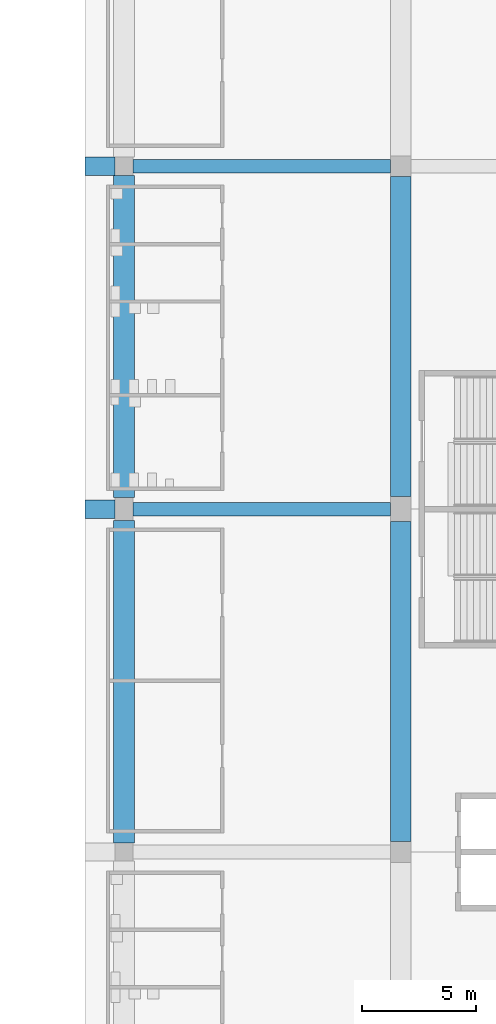
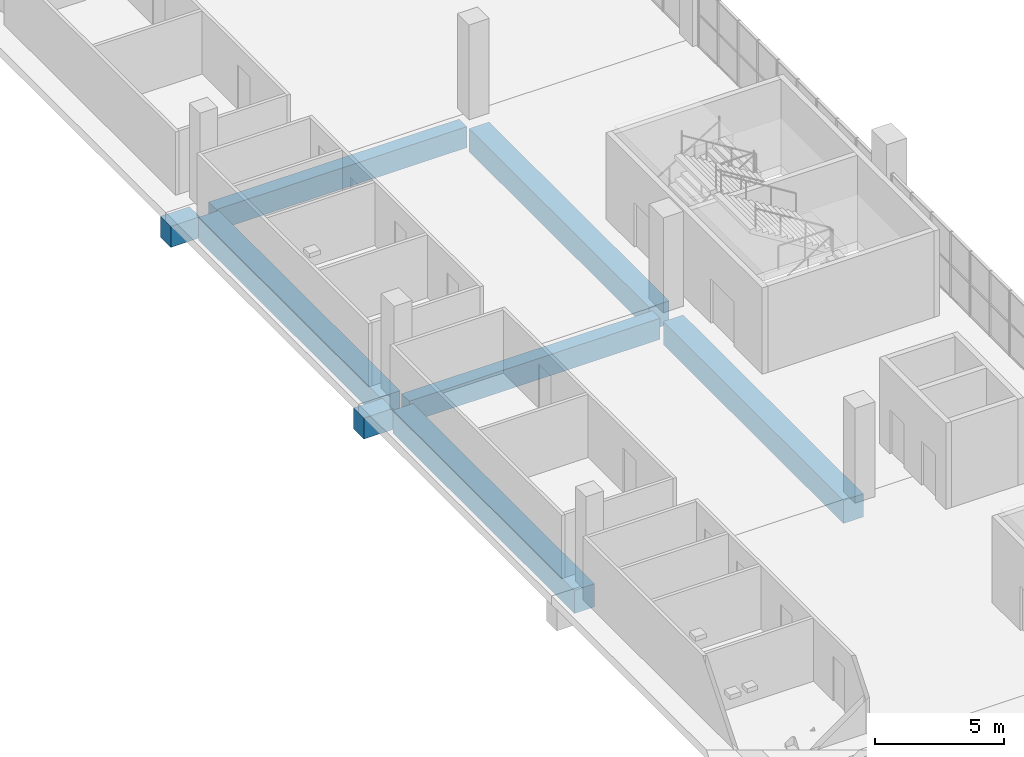
# One storey, part 31 of 199: 8 beams.
"""IFC4 building model written with IfcOpenShell, lengths in metres."""

from ifc_helpers import new_model, si_unit, direction, frame, origin, origin_2d, place, context, subcontext, project, spatial, rectangle, extrude, material, material_profile, profile_set, type_object, element, save


model = new_model("IFC4")

# Units and contexts
model_context = context("Model", 3, precision=1e-05, world=origin(), true_north=direction((0.0, 1.0)))
body_context = subcontext(model_context, "Body", "Model", "MODEL_VIEW")
ifc_project = project(units=[si_unit("LENGTHUNIT", "METRE"), si_unit("AREAUNIT", "SQUARE_METRE"), si_unit("VOLUMEUNIT", "CUBIC_METRE"), si_unit("PLANEANGLEUNIT", "RADIAN"), si_unit("MASSUNIT", "GRAM", prefix="KILO")], contexts=[model_context])

# Site, building, storey
site_placement = place(None, origin())
site = spatial("IfcSite", under=ifc_project, at=site_placement, CompositionType="ELEMENT")
building_placement = place(site_placement, origin())
building = spatial("IfcBuilding", under=site, at=building_placement, Name="Ogive Plaza Stadium", CompositionType="ELEMENT")
storey_placement = place(building_placement, frame((0.0, 0.0, 4.5)))
storey = spatial("IfcBuildingStorey", under=building, at=storey_placement, Name="L01", CompositionType="ELEMENT", Elevation=4.5)

# Beams
ifc_material_1 = material(Name="Concrete C40/50", Category="concrete")
ifc_material_profile_1 = material_profile(ifc_material_1, rectangle(XDim=0.60009765625, YDim=1.0, at=origin_2d()), Name="RC 600x1000")
ifc_profile_set_1 = profile_set([ifc_material_profile_1], Name="Concrete C40/50")
beam_type_1 = type_object("IfcBeamType", Name="RC radial beam 600x1000", PredefinedType="BEAM", material=ifc_profile_set_1)
for number, where, z_axis, x_axis, name in (
    (1, (62.300048828125, 22.5, -0.909912109375), (1.0, 0.0, 0.0), (0.0, 1.0, 0.0), "Radial beam L01 R03 F3F4"),
    (2, (62.300048828125, 7.5, -0.909912109375), (1.0, 0.0, 0.0), (0.0, 1.0, 0.0), "Radial beam L01 R04 F3F4"),
):
    element("IfcBeam", number, at=place(storey_placement, frame(where, z_axis=z_axis, x_axis=x_axis)), inside=storey, type_object=beam_type_1, Name=name, PredefinedType="BEAM", context=body_context, shape_type="SweptSolid", body=[
        extrude(rectangle(XDim=0.60009765625, YDim=1.0, at=origin_2d()), origin(), (0.0, 0.0, 1.0), 11.25),
    ])
ifc_material_2 = material(Name="Concrete C40/50", Category="concrete")
ifc_material_profile_2 = material_profile(ifc_material_2, rectangle(XDim=0.800048828125, YDim=1.0, at=origin_2d()), Name="RC 800x1000")
ifc_profile_set_2 = profile_set([ifc_material_profile_2], Name="Concrete C40/50")
beam_type_2 = type_object("IfcBeamType", Name="RC radial beam 800x1000", PredefinedType="BEAM", material=ifc_profile_set_2)
for number, where, z_axis, x_axis, name in (
    (3, (60.199951171875, 22.5, -0.909912109375), (1.0, 0.0, 0.0), (0.0, 1.0, 0.0), "Raker tail beam LT R03"),
    (4, (60.199951171875, 7.5, -0.909912109375), (1.0, 0.0, 0.0), (0.0, 1.0, 0.0), "Raker tail beam LT R04"),
):
    element("IfcBeam", number, at=place(storey_placement, frame(where, z_axis=z_axis, x_axis=x_axis)), inside=storey, type_object=beam_type_2, Name=name, PredefinedType="BEAM", context=body_context, shape_type="SweptSolid", body=[
        extrude(rectangle(XDim=0.800048828125, YDim=1.0, at=origin_2d()), origin(), (0.0, 0.0, 1.0), 1.300048828125),
    ])
ifc_material_3 = material(Name="Concrete C40/50", Category="concrete")
ifc_material_profile_3 = material_profile(ifc_material_3, rectangle(XDim=0.89990234375, YDim=1.10009765625, at=origin_2d()), Name="RC 900x1100")
ifc_profile_set_3 = profile_set([ifc_material_profile_3], Name="Concrete C40/50")
beam_type_3 = type_object("IfcBeamType", Name="RC ring beam 900x1100", PredefinedType="BEAM", material=ifc_profile_set_3)
beam_1_placement = place(storey_placement, frame((74.0, 22.050048828125, -0.9599609375), z_axis=(0.0, -1.0, 0.0), x_axis=(1.0, 0.0, 0.0)))
element("IfcBeam", 5, at=beam_1_placement, inside=storey, type_object=beam_type_3, Name="Ring beam F4 L01 B03", PredefinedType="BEAM", context=body_context, shape_type="SweptSolid", body=[
    extrude(rectangle(XDim=0.89990234375, YDim=1.10009765625, at=origin_2d()), origin(), (0.0, 0.0, 1.0), 14.0),
])
beam_2_placement = place(storey_placement, frame((61.89990234375, 22.10009765625, -0.9599609375), z_axis=(0.0, -1.0, 0.0), x_axis=(1.0, 0.0, 0.0)))
element("IfcBeam", 6, at=beam_2_placement, inside=storey, type_object=beam_type_3, Name="Ring beam F3 L01 B03", PredefinedType="BEAM", context=body_context, shape_type="SweptSolid", body=[
    extrude(rectangle(XDim=0.89990234375, YDim=1.10009765625, at=origin_2d()), origin(), (0.0, 0.0, 1.0), 14.10009765625),
])
beam_3_placement = place(storey_placement, frame((74.0, 6.949951171875, -0.9599609375), z_axis=(0.0, -1.0, 0.0), x_axis=(1.0, 0.0, 0.0)))
element("IfcBeam", 7, at=beam_3_placement, inside=storey, type_object=beam_type_3, Name="Ring beam F4 L01 B04", PredefinedType="BEAM", context=body_context, shape_type="SweptSolid", body=[
    extrude(rectangle(XDim=0.89990234375, YDim=1.10009765625, at=origin_2d()), origin(), (0.0, 0.0, 1.0), 14.0),
])
beam_4_placement = place(storey_placement, frame((61.89990234375, 7.0, -0.9599609375), z_axis=(0.0, -1.0, 0.0), x_axis=(1.0, 0.0, 0.0)))
element("IfcBeam", 8, at=beam_4_placement, inside=storey, type_object=beam_type_3, Name="Ring beam F3 L01 B04", PredefinedType="BEAM", context=body_context, shape_type="SweptSolid", body=[
    extrude(rectangle(XDim=0.89990234375, YDim=1.10009765625, at=origin_2d()), origin(), (0.0, 0.0, 1.0), 14.10009765625),
])

save(model, "model.ifc")
